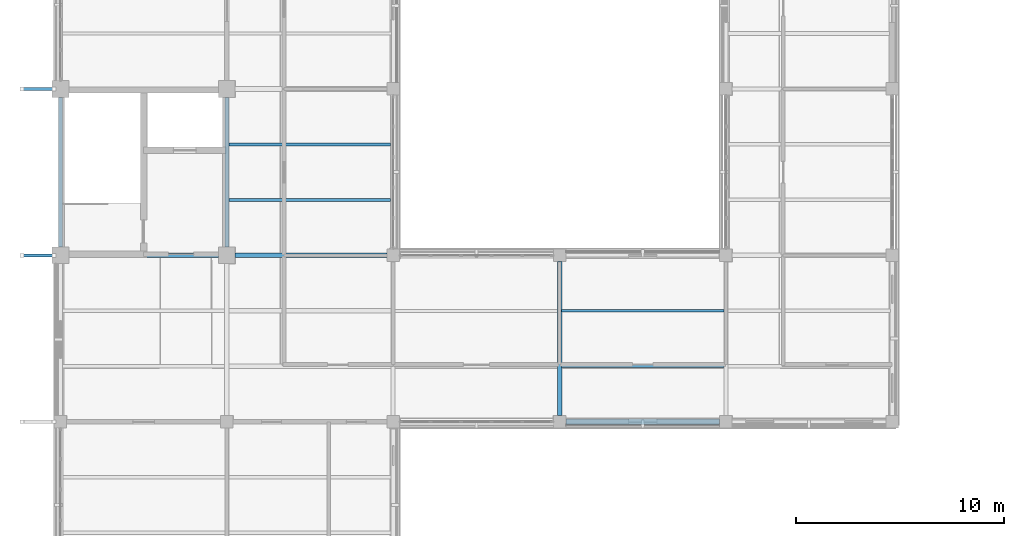
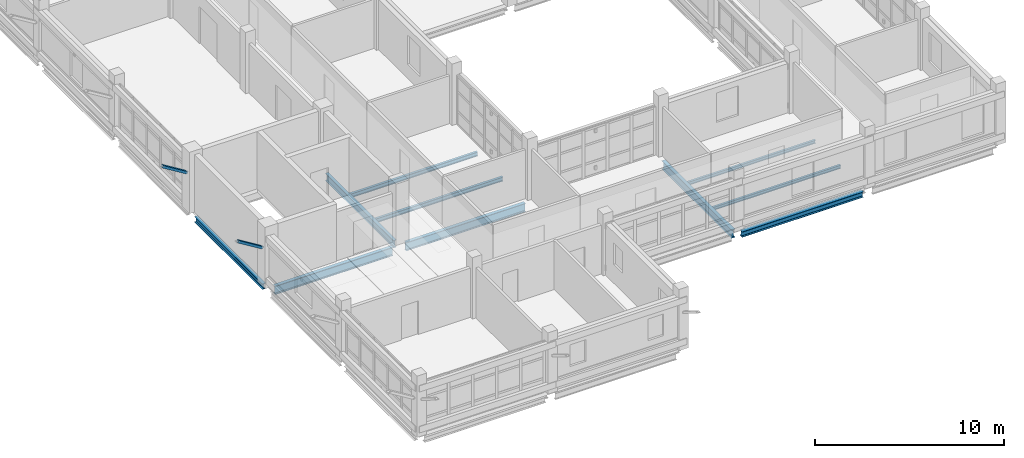
# One storey, part 8 of 126: 10 beams, 2 members.
"""IFC4 building model written with IfcOpenShell, lengths in metres."""

from ifc_helpers import new_model, si_unit, derived_unit, direction, frame, origin, origin_2d, place, context, subcontext, project, spatial, hollow_rectangle, i_section, extrude, material, material_profile, profile_set, type_object, element, save


model = new_model("IFC4")

# Units and contexts
model_context = context("Model", 3, precision=1e-05, world=origin(), true_north=direction((0.0, 1.0)))
body_context = subcontext(model_context, "Body", "Model", "MODEL_VIEW")
ifc_project = project(units=[si_unit("LENGTHUNIT", "METRE"), si_unit("AREAUNIT", "SQUARE_METRE"), si_unit("VOLUMEUNIT", "CUBIC_METRE"), si_unit("PLANEANGLEUNIT", "RADIAN"), si_unit("MASSUNIT", "GRAM", prefix="KILO"), derived_unit("THERMALTRANSMITTANCEUNIT", [(si_unit("MASSUNIT", "GRAM", prefix="KILO"), 1), (si_unit("TIMEUNIT", "SECOND"), -3), (si_unit("THERMODYNAMICTEMPERATUREUNIT", "KELVIN"), -1)])], contexts=[model_context])

# Site, building, storey
site_placement = place(None, origin())
site = spatial("IfcSite", under=ifc_project, at=site_placement, CompositionType="ELEMENT")
building_placement = place(site_placement, origin())
building = spatial("IfcBuilding", under=site, at=building_placement, Name="Veyamyaing Civic Hall", CompositionType="ELEMENT")
storey_placement = place(building_placement, frame((0.0, 0.0, 9.89990234375)))
storey = spatial("IfcBuildingStorey", under=building, at=storey_placement, Name="L02", CompositionType="ELEMENT", Elevation=9.89990234375)

# Beams
ifc_material_1 = material(Name="Steel ASTM A992", Category="steel")
ifc_material_profile_1 = material_profile(ifc_material_1, i_section(OverallWidth=0.208984375, OverallDepth=0.532958984375, WebThickness=0.01025390625, FlangeThickness=0.015625, FilletRadius=0.011962890625, at=origin_2d()), Name="W530X92")
ifc_profile_set_1 = profile_set([ifc_material_profile_1], Name="Steel ASTM A992")
beam_type_1 = type_object("IfcBeamType", Name="B-07", PredefinedType="BEAM", material=ifc_profile_set_1)
beam_1_placement = place(storey_placement, frame((24.0, 8.300048828125, -0.551513671875), z_axis=(0.0, 1.0, 0.0), x_axis=(-1.0, 0.0, 0.0)))
element("IfcBeam", 1, at=beam_1_placement, inside=storey, type_object=beam_type_1, Name="Girder B-07 L02 Grid 4 B-C", PredefinedType="BEAM", context=body_context, shape_type="SweptSolid", body=[
    extrude(i_section(OverallWidth=0.208984375, OverallDepth=0.532958984375, WebThickness=0.01025390625, FlangeThickness=0.015625, FilletRadius=0.011962890625, at=origin_2d()), origin(), (0.0, 0.0, 1.0), 7.39990234375),
])
ifc_material_profile_2 = material_profile(ifc_material_1, i_section(OverallWidth=0.2041015625, OverallDepth=0.35009765625, WebThickness=0.0078125, FlangeThickness=0.01513671875, FilletRadius=0.010009765625, at=origin_2d()), Name="W360X72")
ifc_profile_set_2 = profile_set([ifc_material_profile_2], Name="Steel ASTM A992")
beam_type_2 = type_object("IfcBeamType", Name="B-11", PredefinedType="SPANDREL", material=ifc_profile_set_2)
beam_2_placement = place(storey_placement, frame((0.0, 16.39990234375, -0.4599609375), z_axis=(0.0, 1.0, 0.0), x_axis=(-1.0, 0.0, 0.0)))
element("IfcBeam", 2, at=beam_2_placement, inside=storey, type_object=beam_type_2, Name="Girder B-11 L02 Grid 1 C-D", PredefinedType="SPANDREL", context=body_context, shape_type="SweptSolid", body=[
    extrude(i_section(OverallWidth=0.2041015625, OverallDepth=0.35009765625, WebThickness=0.0078125, FlangeThickness=0.01513671875, FilletRadius=0.010009765625, at=origin_2d()), origin(), (0.0, 0.0, 1.0), 7.2001953125),
])
ifc_material_profile_3 = material_profile(ifc_material_1, i_section(OverallWidth=0.214111328125, OverallDepth=0.549072265625, WebThickness=0.0146484375, FlangeThickness=0.023681640625, FilletRadius=0.011962890625, at=origin_2d()), Name="W530X138")
ifc_profile_set_3 = profile_set([ifc_material_profile_3], Name="Steel ASTM A992")
beam_type_3 = type_object("IfcBeamType", Name="B-16", PredefinedType="BEAM", material=ifc_profile_set_3)
beam_3_placement = place(storey_placement, frame((0.39990234375, 16.0, -0.559326171875), z_axis=(1.0, 0.0, 0.0), x_axis=(0.0, 1.0, 0.0)))
element("IfcBeam", 3, at=beam_3_placement, inside=storey, type_object=beam_type_3, Name="Girder B-16 L02 Grid C 1-2", PredefinedType="BEAM", context=body_context, shape_type="SweptSolid", body=[
    extrude(i_section(OverallWidth=0.214111328125, OverallDepth=0.549072265625, WebThickness=0.0146484375, FlangeThickness=0.023681640625, FilletRadius=0.011962890625, at=origin_2d()), origin(), (0.0, 0.0, 1.0), 7.2001953125),
])
ifc_material_profile_4 = material_profile(ifc_material_1, i_section(OverallWidth=0.2109375, OverallDepth=0.5390625, WebThickness=0.01171875, FlangeThickness=0.018798828125, FilletRadius=0.011962890625, at=origin_2d()), Name="W530X109")
ifc_profile_set_4 = profile_set([ifc_material_profile_4], Name="Steel ASTM A992")
beam_type_4 = type_object("IfcBeamType", Name="B-17", PredefinedType="BEAM", material=ifc_profile_set_4)
beam_4_placement = place(storey_placement, frame((8.39990234375, 16.0, -0.554443359375), z_axis=(1.0, 0.0, 0.0), x_axis=(0.0, 1.0, 0.0)))
element("IfcBeam", 4, at=beam_4_placement, inside=storey, type_object=beam_type_4, Name="Girder B-17 L02 Grid C 2-3", PredefinedType="BEAM", context=body_context, shape_type="SweptSolid", body=[
    extrude(i_section(OverallWidth=0.2109375, OverallDepth=0.5390625, WebThickness=0.01171875, FlangeThickness=0.018798828125, FilletRadius=0.011962890625, at=origin_2d()), origin(), (0.0, 0.0, 1.0), 7.300048828125),
])
ifc_material_profile_5 = material_profile(ifc_material_1, i_section(OverallWidth=0.194091796875, OverallDepth=0.468994140625, WebThickness=0.0126953125, FlangeThickness=0.0205078125, FilletRadius=0.010009765625, at=origin_2d()), Name="W460X106")
ifc_profile_set_5 = profile_set([ifc_material_profile_5], Name="Steel ASTM A992")
beam_type_5 = type_object("IfcBeamType", Name="B-18", PredefinedType="BEAM", material=ifc_profile_set_5)
beam_5_placement = place(storey_placement, frame((8.0, 16.39990234375, -0.519287109375), z_axis=(0.0, 1.0, 0.0), x_axis=(-1.0, 0.0, 0.0)))
element("IfcBeam", 5, at=beam_5_placement, inside=storey, type_object=beam_type_5, Name="Girder B-18 L02 Grid 2 C-D", PredefinedType="BEAM", context=body_context, shape_type="SweptSolid", body=[
    extrude(i_section(OverallWidth=0.194091796875, OverallDepth=0.468994140625, WebThickness=0.0126953125, FlangeThickness=0.0205078125, FilletRadius=0.010009765625, at=origin_2d()), origin(), (0.0, 0.0, 1.0), 7.2001953125),
])
ifc_material_profile_6 = material_profile(ifc_material_1, i_section(OverallWidth=0.25390625, OverallDepth=0.35302734375, WebThickness=0.009521484375, FlangeThickness=0.016357421875, FilletRadius=0.011962890625, at=origin_2d()), Name="W360X91")
ifc_profile_set_6 = profile_set([ifc_material_profile_6], Name="Steel ASTM A992")
beam_type_6 = type_object("IfcBeamType", Name="B-20", PredefinedType="SPANDREL", material=ifc_profile_set_6)
beam_6_placement = place(storey_placement, frame((24.300048828125, 8.0, -0.46142578125), z_axis=(1.0, 0.0, 0.0), x_axis=(0.0, 1.0, 0.0)))
element("IfcBeam", 6, at=beam_6_placement, inside=storey, type_object=beam_type_6, Name="Girder B-20 L02 Grid B 4-5", PredefinedType="SPANDREL", context=body_context, shape_type="SweptSolid", body=[
    extrude(i_section(OverallWidth=0.25390625, OverallDepth=0.35302734375, WebThickness=0.009521484375, FlangeThickness=0.016357421875, FilletRadius=0.011962890625, at=origin_2d()), origin(), (0.0, 0.0, 1.0), 7.39990234375),
])
ifc_material_profile_7 = material_profile(ifc_material_1, i_section(OverallWidth=0.14794921875, OverallDepth=0.26611328125, WebThickness=0.007568359375, FlangeThickness=0.012939453125, FilletRadius=0.010009765625, at=origin_2d()), Name="W250X45")
ifc_profile_set_7 = profile_set([ifc_material_profile_7], Name="Steel ASTM A992")
beam_type_7 = type_object("IfcBeamType", Name="J-07", PredefinedType="JOIST", material=ifc_profile_set_7)
for number, where, z_axis, x_axis, name in (
    (7, (8.094970703125, 18.666748046875, -0.41796875), (1.0, 0.0, 0.0), (0.0, 1.0, 0.0), "Composite floor joist J-07 L02 2.3.1"),
    (8, (8.094970703125, 21.333251953125, -0.41796875), (1.0, 0.0, 0.0), (0.0, 1.0, 0.0), "Composite floor joist J-07 L02 2.3.2"),
):
    element("IfcBeam", number, at=place(storey_placement, frame(where, z_axis=z_axis, x_axis=x_axis)), inside=storey, type_object=beam_type_7, Name=name, PredefinedType="JOIST", context=body_context, shape_type="SweptSolid", body=[
        extrude(i_section(OverallWidth=0.14794921875, OverallDepth=0.26611328125, WebThickness=0.007568359375, FlangeThickness=0.012939453125, FilletRadius=0.010009765625, at=origin_2d()), origin(), (0.0, 0.0, 1.0), 7.780029296875),
    ])
ifc_material_profile_8 = material_profile(ifc_material_1, i_section(OverallWidth=0.133056640625, OverallDepth=0.20703125, WebThickness=0.005859375, FlangeThickness=0.00830078125, FilletRadius=0.010009765625, at=origin_2d()), Name="W200X27")
ifc_profile_set_8 = profile_set([ifc_material_profile_8], Name="Steel ASTM A992")
beam_type_8 = type_object("IfcBeamType", Name="J-08", PredefinedType="JOIST", material=ifc_profile_set_8)
for number, where, z_axis, x_axis, name in (
    (9, (24.1025390625, 10.666748046875, -0.388427734375), (1.0, 0.0, 0.0), (0.0, 1.0, 0.0), "Composite floor joist J-08 L02 4.2.1"),
    (10, (24.1025390625, 13.333251953125, -0.388427734375), (1.0, 0.0, 0.0), (0.0, 1.0, 0.0), "Composite floor joist J-08 L02 4.2.2"),
):
    element("IfcBeam", number, at=place(storey_placement, frame(where, z_axis=z_axis, x_axis=x_axis)), inside=storey, type_object=beam_type_8, Name=name, PredefinedType="JOIST", context=body_context, shape_type="SweptSolid", body=[
        extrude(i_section(OverallWidth=0.133056640625, OverallDepth=0.20703125, WebThickness=0.005859375, FlangeThickness=0.00830078125, FilletRadius=0.010009765625, at=origin_2d()), origin(), (0.0, 0.0, 1.0), 7.803466796875),
    ])

# Members
ifc_material_2 = material(Name="Steel S355J2", Category="steel")
ifc_material_profile_9 = material_profile(ifc_material_2, hollow_rectangle(XDim=0.152099609375, YDim=0.152099609375, WallThickness=0.009521484375, at=origin_2d()), Name="HSS152X152X9.5")
ifc_profile_set_9 = profile_set([ifc_material_profile_9], Name="Steel S355J2")
member_type = type_object("IfcMemberType", Name="SR-01", PredefinedType="STRUT", material=ifc_profile_set_9)
for number, where, z_axis, x_axis, name in (
    (11, (-0.320068359375, 16.0, 2.41015625), (-0.852059527287, 0.0, 0.523444898685), (0.0, -1.0, 0.0), "Sacak diagonal steel eave strut SR-01 V2-W.2"),
    (12, (-0.320068359375, 24.0, 2.41015625), (-0.852059527287, 0.0, 0.523444898685), (0.0, -1.0, 0.0), "Sacak diagonal steel eave strut SR-01 V2-W.3"),
):
    element("IfcMember", number, at=place(storey_placement, frame(where, z_axis=z_axis, x_axis=x_axis)), inside=storey, type_object=member_type, Name=name, PredefinedType="STRUT", context=body_context, shape_type="SweptSolid", body=[
        extrude(hollow_rectangle(XDim=0.152099609375, YDim=0.152099609375, WallThickness=0.009521484375, at=origin_2d()), origin(), (0.0, 0.0, 1.0), 1.795654296875),
    ])

save(model, "model.ifc")
